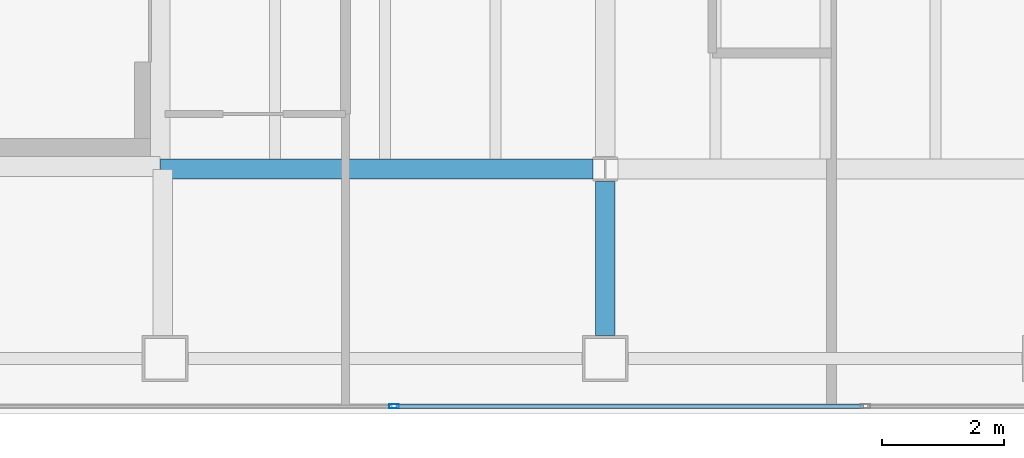
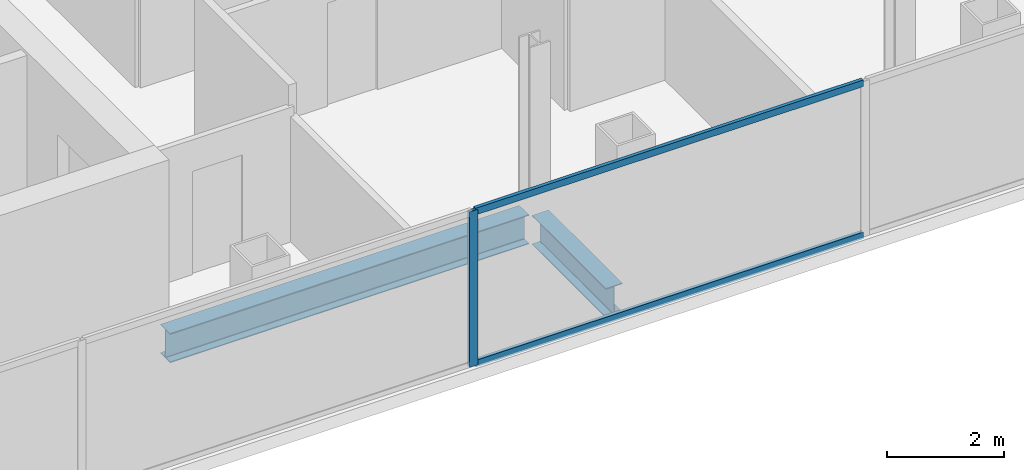
# One storey, part 4 of 23: 3 members, 2 beams, 1 element without a shape of its own.
"""IFC4 building model written with IfcOpenShell, lengths in metres."""

from ifc_helpers import new_model, si_unit, direction, frame, origin, origin_2d, place, context, subcontext, project, spatial, hollow_rectangle, i_section, extrude, material, material_profile, profile_set, type_object, element, aggregate, save


model = new_model("IFC4")

# Units and contexts
model_context = context("Model", 3, precision=1e-05, world=origin(), true_north=direction((0.0, 1.0)))
body_context = subcontext(model_context, "Body", "Model", "MODEL_VIEW")
ifc_project = project(units=[si_unit("LENGTHUNIT", "METRE"), si_unit("AREAUNIT", "SQUARE_METRE"), si_unit("VOLUMEUNIT", "CUBIC_METRE"), si_unit("PLANEANGLEUNIT", "RADIAN"), si_unit("MASSUNIT", "GRAM", prefix="KILO")], contexts=[model_context])

# Site, building, storey
site_placement = place(None, origin())
site = spatial("IfcSite", under=ifc_project, at=site_placement, CompositionType="ELEMENT")
building_placement = place(site_placement, origin())
building = spatial("IfcBuilding", under=site, at=building_placement, Name="Cobrela Telecom Tower", CompositionType="ELEMENT")
storey_placement = place(building_placement, frame((0.0, 0.0, 204.75)))
storey = spatial("IfcBuildingStorey", under=building, at=storey_placement, Name="L52", CompositionType="ELEMENT", Elevation=204.75)

# Beams
ifc_material_1 = material(Name="Steel ASTM A992 Grade 50", Category="steel")
ifc_material_profile_1 = material_profile(ifc_material_1, i_section(OverallWidth=0.324951171875, OverallDepth=0.612060546875, WebThickness=0.0126953125, FlangeThickness=0.01904296875, FilletRadius=0.014892578125, at=origin_2d()), Name="W24X104")
ifc_profile_set_1 = profile_set([ifc_material_profile_1], Name="Steel ASTM A992 Grade 50")
beam_type = type_object("IfcBeamType", Name="BM-GIRD-07", PredefinedType="USERDEFINED", material=ifc_profile_set_1)
beam_1_placement = place(storey_placement, frame((14.324951171875, 7.199951171875, -0.56591796875), z_axis=(1.0, 0.0, 0.0), x_axis=(0.0, 1.0, 0.0)))
element("IfcBeam", 1, at=beam_1_placement, inside=storey, type_object=beam_type, Name="L52 Primary Girder X07", ObjectType="GIRDER", PredefinedType="USERDEFINED", context=body_context, shape_type="SweptSolid", body=[
    extrude(i_section(OverallWidth=0.324951171875, OverallDepth=0.612060546875, WebThickness=0.0126953125, FlangeThickness=0.01904296875, FilletRadius=0.014892578125, at=origin_2d()), origin(), (0.0, 0.0, 1.0), 7.070556640625),
])
beam_2_placement = place(storey_placement, frame((21.60009765625, 4.47998046875, -0.56591796875), z_axis=(0.0, 1.0, 0.0), x_axis=(-1.0, 0.0, 0.0)))
element("IfcBeam", 2, at=beam_2_placement, inside=storey, type_object=beam_type, Name="L52 Primary Girder Y32", ObjectType="GIRDER", PredefinedType="USERDEFINED", context=body_context, shape_type="SweptSolid", body=[
    extrude(i_section(OverallWidth=0.324951171875, OverallDepth=0.612060546875, WebThickness=0.0126953125, FlangeThickness=0.01904296875, FilletRadius=0.014892578125, at=origin_2d()), origin(), (0.0, 0.0, 1.0), 2.515625),
])

# Curtain wall, members
ifc_material_2 = material(Name="Anodized Bronze Aluminium 6063-T6", Category="aluminium")
curtain_wall_type = type_object("IfcCurtainWallType", Name="CW-SYS-OFF-LO", PredefinedType="USERDEFINED", material=ifc_material_2)
curtain_wall_placement = place(storey_placement, origin())
curtain_wall = element("IfcCurtainWall", 3, at=curtain_wall_placement, inside=storey, type_object=curtain_wall_type, Name="L52 Unitised Bronze Curtain Wall 17", ObjectType="UNITISED CURTAIN WALL", PredefinedType="USERDEFINED")
ifc_material_profile_2 = material_profile(ifc_material_2, hollow_rectangle(XDim=0.070068359375, YDim=0.159912109375, WallThickness=0.00390625, at=origin_2d()), Name="ALU 70x160x4")
ifc_profile_set_2 = profile_set([ifc_material_profile_2], Name="Anodized Bronze Aluminium 6063-T6")
member_type_1 = type_object("IfcMemberType", Name="CW-SYS-OFF-LO-MUL", PredefinedType="MULLION", material=ifc_profile_set_2)
member_1_placement = place(storey_placement, frame((18.14208984375, 3.320068359375, 0.0), z_axis=(0.0, 0.0, 1.0), x_axis=(0.0, -1.0, 0.0)))
member_1 = element("IfcMember", 4, at=member_1_placement, type_object=member_type_1, Name="CW-OFF-LO mullion 4", PredefinedType="MULLION", context=body_context, shape_type="SweptSolid", body=[
    extrude(hollow_rectangle(XDim=0.070068359375, YDim=0.159912109375, WallThickness=0.00390625, at=origin_2d()), origin(), (0.0, 0.0, 1.0), 3.239990234375),
])
ifc_material_profile_3 = material_profile(ifc_material_2, hollow_rectangle(XDim=0.070068359375, YDim=0.139892578125, WallThickness=0.00390625, at=origin_2d()), Name="ALU 70x140x4")
ifc_profile_set_3 = profile_set([ifc_material_profile_3], Name="Anodized Bronze Aluminium 6063-T6")
member_type_2 = type_object("IfcMemberType", Name="CW-SYS-OFF-LO-TRN", PredefinedType="USERDEFINED", material=ifc_profile_set_3)
member_2_placement = place(storey_placement, frame((25.822998046875, 3.320068359375, 0.034912109375), z_axis=(-1.0, 0.0, 0.0), x_axis=(0.0, -1.0, 0.0)))
member_2 = element("IfcMember", 5, at=member_2_placement, type_object=member_type_2, Name="CW-OFF-LO transom 3.1", ObjectType="TRANSOM", PredefinedType="USERDEFINED", context=body_context, shape_type="SweptSolid", body=[
    extrude(hollow_rectangle(XDim=0.070068359375, YDim=0.139892578125, WallThickness=0.00390625, at=origin_2d()), origin(), (0.0, 0.0, 1.0), 7.64599609375),
])
member_3_placement = place(storey_placement, frame((25.822998046875, 3.320068359375, 3.205078125), z_axis=(-1.0, 0.0, 0.0), x_axis=(0.0, -1.0, 0.0)))
member_3 = element("IfcMember", 6, at=member_3_placement, type_object=member_type_2, Name="CW-OFF-LO transom 3.2", ObjectType="TRANSOM", PredefinedType="USERDEFINED", context=body_context, shape_type="SweptSolid", body=[
    extrude(hollow_rectangle(XDim=0.070068359375, YDim=0.139892578125, WallThickness=0.00390625, at=origin_2d()), origin(), (0.0, 0.0, 1.0), 7.64599609375),
])
aggregate(curtain_wall, [member_1, member_2, member_3])

save(model, "model.ifc")
